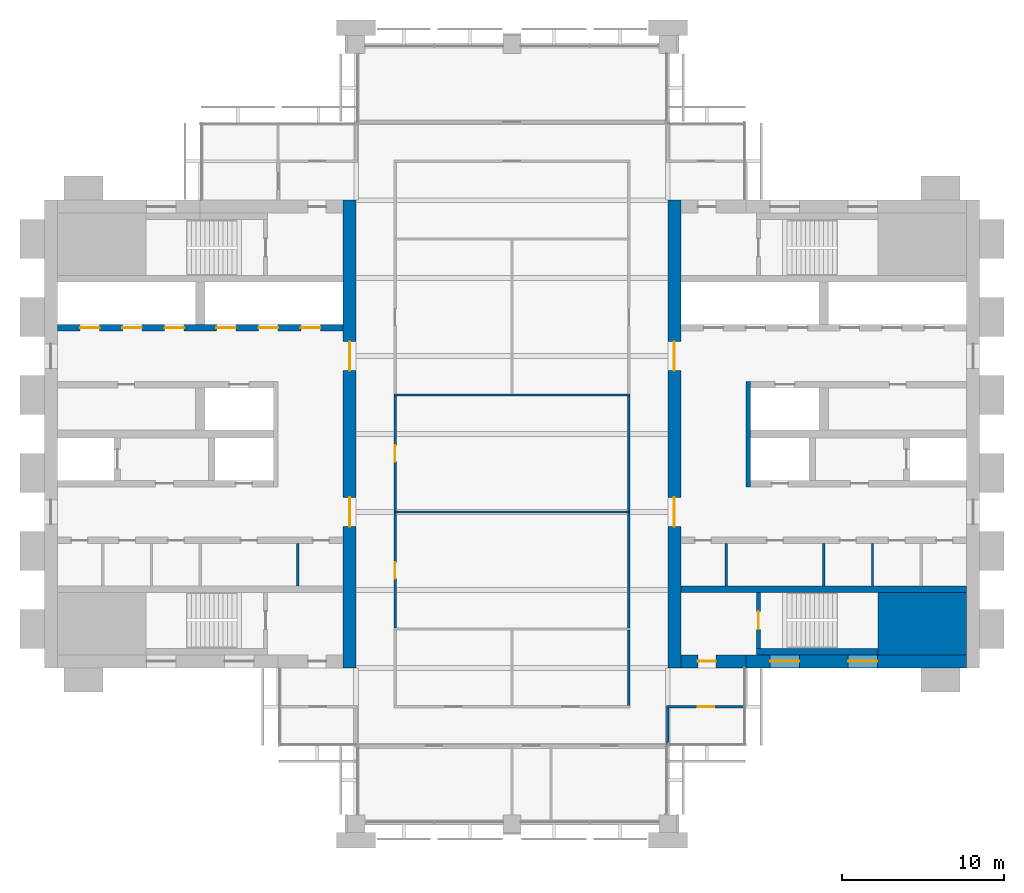
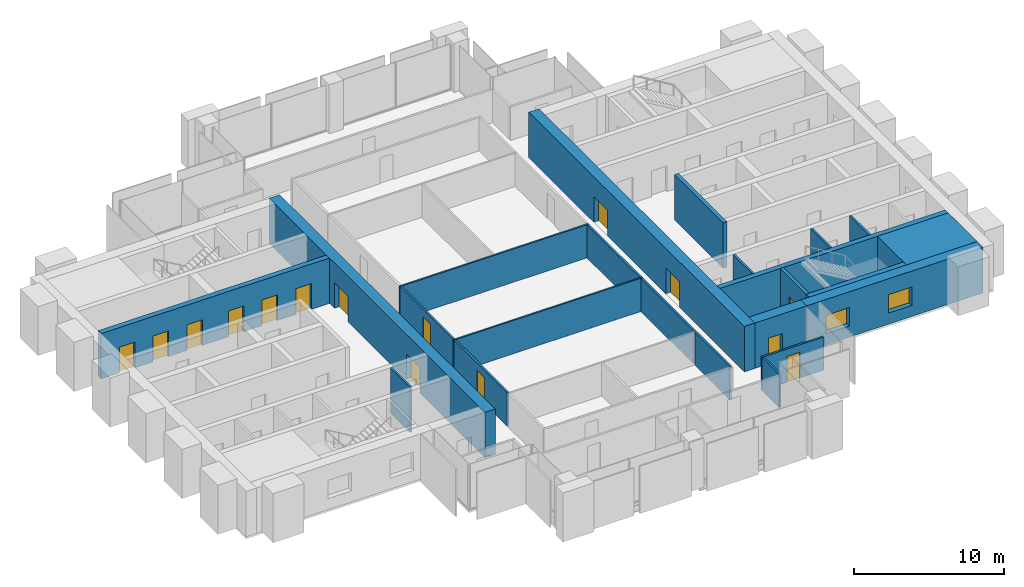
# One storey, part 9 of 13: 23 walls, 15 doors, 2 windows, 17 openings.
"""IFC4 building model written with IfcOpenShell, lengths in metres."""

from ifc_helpers import new_model, si_unit, direction, frame, frame_2d, origin, place, context, subcontext, project, spatial, rectangle, extrude, material, layer, layer_set, type_object, element, fill, save


model = new_model("IFC4")

# Units and contexts
model_context = context("Model", 3, precision=1e-05, world=origin(), true_north=direction((0.0, 1.0)))
body_context = subcontext(model_context, "Body", "Model", "MODEL_VIEW")
ifc_project = project(units=[si_unit("LENGTHUNIT", "METRE"), si_unit("AREAUNIT", "SQUARE_METRE"), si_unit("VOLUMEUNIT", "CUBIC_METRE"), si_unit("PLANEANGLEUNIT", "RADIAN"), si_unit("MASSUNIT", "GRAM", prefix="KILO")], contexts=[model_context])

# Site, building, storey
site_placement = place(None, origin())
site = spatial("IfcSite", under=ifc_project, at=site_placement, CompositionType="ELEMENT")
building_placement = place(site_placement, origin())
building = spatial("IfcBuilding", under=site, at=building_placement, Name="Baori Bourse Tower", CompositionType="ELEMENT")
storey_placement = place(building_placement, frame((0.0, 0.0, 261.199951171875)))
storey = spatial("IfcBuildingStorey", under=building, at=storey_placement, Name="L58", CompositionType="ELEMENT", Elevation=261.199951171875)

# Walls
ifc_material_1 = material(Name="Concrete f'c 50 MPa", Category="concrete")
wall_type_1 = type_object("IfcWallType", Name="Core corner block f'c 50", PredefinedType="SHEAR", material=ifc_material_1)
wall_1_placement = place(storey_placement, frame((51.35009765625, 12.324951171875, 0.0), z_axis=(0.0, 0.0, 1.0), x_axis=(1.0, 0.0, 0.0)))
element("IfcWall", 1, at=wall_1_placement, inside=storey, type_object=wall_type_1, Name="Core wall E05", PredefinedType="SHEAR", context=body_context, shape_type="SweptSolid", body=[
    extrude(rectangle(XDim=5.449951171875, YDim=3.85009765625, at=frame_2d((2.72509765625, 0.0))), origin(), (0.0, 0.0, 1.0), 3.699951171875),
])
ifc_material_2 = material(Name="Blockwork partition", Category="masonry")
ifc_layer_1 = layer(ifc_material_2, 0.14990234375)
ifc_layer_set_1 = layer_set([ifc_layer_1], Name="Core partition 150")
wall_type_2 = type_object("IfcWallType", Name="Core partition 150", PredefinedType="PARTITIONING", material=ifc_layer_set_1)
for number, where, z_axis, x_axis, name in (
    (2, (15.60009765625, 14.64990234375, 0.0), (0.0, 0.0, 1.0), (0.0, 1.0, 0.0), "Partition wall W12"),
    (3, (51.0, 14.64990234375, 0.0), (0.0, 0.0, 1.0), (0.0, 1.0, 0.0), "Partition wall E10"),
    (4, (48.0, 14.64990234375, 0.0), (0.0, 0.0, 1.0), (0.0, 1.0, 0.0), "Partition wall E11"),
    (5, (42.0, 14.64990234375, 0.0), (0.0, 0.0, 1.0), (0.0, 1.0, 0.0), "Partition wall E12"),
):
    element("IfcWall", number, at=place(storey_placement, frame(where, z_axis=z_axis, x_axis=x_axis)), inside=storey, type_object=wall_type_2, Name=name, PredefinedType="PARTITIONING", context=body_context, shape_type="SweptSolid", body=[
        extrude(rectangle(XDim=2.60009765625, YDim=0.14990234375, at=frame_2d((1.300048828125, 0.0))), origin(), (0.0, 0.0, 1.0), 3.699951171875),
    ])

# Wall, openings, doors
ifc_material_3 = material(Name="Concrete f'c 50 MPa", Category="concrete")
ifc_layer_2 = layer(ifc_material_3, 0.800048828125)
ifc_layer_set_2 = layer_set([ifc_layer_2], Name="Core wall 800 f'c 50")
wall_type_3 = type_object("IfcWallType", Name="Core wall 800 f'c 50", PredefinedType="SHEAR", material=ifc_layer_set_2)
wall_2_placement = place(storey_placement, frame((18.800048828125, 38.39990234375, 0.0), z_axis=(0.0, 0.0, 1.0), x_axis=(0.0, -1.0, 0.0)))
wall_2 = element("IfcWall", 6, at=wall_2_placement, inside=storey, type_object=wall_type_3, Name="Core wall W04", PredefinedType="SHEAR", context=body_context, shape_type="SweptSolid", body=[
    extrude(rectangle(XDim=28.7998046875, YDim=0.800048828125, at=frame_2d((14.39990234375, 0.0))), origin(), (0.0, 0.0, 1.0), 3.699951171875),
])
opening_1_placement = place(wall_2_placement, frame((18.300048828125, 0.0, 0.0)))
opening_1 = element("IfcOpeningElement", 7, at=opening_1_placement, cuts=wall_2, Name="Opening L58-D107", PredefinedType="OPENING", context=body_context, shape_type="SweptSolid", body=[
    extrude(rectangle(XDim=1.800048828125, YDim=2.10009765625, at=frame_2d((0.89990234375, 1.050048828125))), frame((0.0, 0.409912109375, 0.0), z_axis=(0.0, -1.0, 0.0), x_axis=(1.0, 0.0, 0.0)), (0.0, 0.0, 1.0), 0.820068359375),
])
opening_2_placement = place(wall_2_placement, frame((8.699951171875, 0.0, 0.0)))
opening_2 = element("IfcOpeningElement", 8, at=opening_2_placement, cuts=wall_2, Name="Opening L58-D108", PredefinedType="OPENING", context=body_context, shape_type="SweptSolid", body=[
    extrude(rectangle(XDim=1.800048828125, YDim=2.10009765625, at=frame_2d((0.89990234375, 1.050048828125))), frame((0.0, 0.409912109375, 0.0), z_axis=(0.0, -1.0, 0.0), x_axis=(1.0, 0.0, 0.0)), (0.0, 0.0, 1.0), 0.820068359375),
])
ifc_material_4 = material(Name="Painted steel door", Category="steel")
door_type_1 = type_object("IfcDoorType", Name="Core lobby door 1800", OperationType="DOUBLE_DOOR_SINGLE_SWING", PredefinedType="DOOR", material=ifc_material_4)
door_1_placement = place(opening_1_placement, origin())
door_1 = element("IfcDoor", 9, at=door_1_placement, inside=storey, type_object=door_type_1, Name="Lobby door W L58", OperationType="DOUBLE_DOOR_SINGLE_SWING", OverallHeight=2.10009765625, OverallWidth=1.800048828125, PredefinedType="DOOR", context=body_context, shape_type="SweptSolid", body=[
    extrude(rectangle(XDim=1.800048828125, YDim=2.10009765625, at=frame_2d((0.89990234375, 1.050048828125))), frame((0.0, 0.02490234375, 0.0), z_axis=(0.0, -1.0, 0.0), x_axis=(1.0, 0.0, 0.0)), (0.0, 0.0, 1.0), 0.050048828125),
])
fill(opening_1, door_1)
door_2_placement = place(opening_2_placement, origin())
door_2 = element("IfcDoor", 10, at=door_2_placement, inside=storey, type_object=door_type_1, Name="Lobby door W L58", OperationType="DOUBLE_DOOR_SINGLE_SWING", OverallHeight=2.10009765625, OverallWidth=1.800048828125, PredefinedType="DOOR", context=body_context, shape_type="SweptSolid", body=[
    extrude(rectangle(XDim=1.800048828125, YDim=2.10009765625, at=frame_2d((0.89990234375, 1.050048828125))), frame((0.0, 0.02490234375, 0.0), z_axis=(0.0, -1.0, 0.0), x_axis=(1.0, 0.0, 0.0)), (0.0, 0.0, 1.0), 0.050048828125),
])
fill(opening_2, door_2)

# Wall, openings, windows
wall_3_placement = place(storey_placement, frame((56.800048828125, 10.0, 0.0), z_axis=(0.0, 0.0, 1.0), x_axis=(-1.0, 0.0, 0.0)))
wall_3 = element("IfcWall", 11, at=wall_3_placement, inside=storey, type_object=wall_type_3, Name="Core wall E02", PredefinedType="SHEAR", context=body_context, shape_type="SweptSolid", body=[
    extrude(rectangle(XDim=13.60009765625, YDim=0.800048828125, at=frame_2d((6.800048828125, 0.0))), origin(), (0.0, 0.0, 1.0), 3.699951171875),
])
opening_3_placement = place(wall_3_placement, frame((5.5, 0.0, 0.89990234375)))
opening_3 = element("IfcOpeningElement", 12, at=opening_3_placement, cuts=wall_3, Name="Opening L58-KW203", PredefinedType="OPENING", context=body_context, shape_type="SweptSolid", body=[
    extrude(rectangle(XDim=1.800048828125, YDim=1.5, at=frame_2d((0.89990234375, 0.75))), frame((0.0, 0.409912109375, 0.0), z_axis=(0.0, -1.0, 0.0), x_axis=(1.0, 0.0, 0.0)), (0.0, 0.0, 1.0), 0.820068359375),
])
opening_4_placement = place(wall_3_placement, frame((10.300048828125, 0.0, 0.89990234375)))
opening_4 = element("IfcOpeningElement", 13, at=opening_4_placement, cuts=wall_3, Name="Opening L58-KW204", PredefinedType="OPENING", context=body_context, shape_type="SweptSolid", body=[
    extrude(rectangle(XDim=1.800048828125, YDim=1.5, at=frame_2d((0.89990234375, 0.75))), frame((0.0, 0.409912109375, 0.0), z_axis=(0.0, -1.0, 0.0), x_axis=(1.0, 0.0, 0.0)), (0.0, 0.0, 1.0), 0.820068359375),
])
ifc_material_5 = material(Name="Pale anodised aluminium", Category="aluminium")
window_type = type_object("IfcWindowType", Name="Stair window 1800 x 1500", PartitioningType="SINGLE_PANEL", PredefinedType="WINDOW", material=ifc_material_5)
window_1_placement = place(opening_3_placement, origin())
window_1 = element("IfcWindow", 14, at=window_1_placement, inside=storey, type_object=window_type, Name="Stair window E L58 3", OverallHeight=1.5, OverallWidth=1.800048828125, PartitioningType="SINGLE_PANEL", PredefinedType="WINDOW", context=body_context, shape_type="SweptSolid", body=[
    extrude(rectangle(XDim=1.800048828125, YDim=1.5, at=frame_2d((0.89990234375, 0.75))), frame((0.0, 0.030029296875, 0.0), z_axis=(0.0, -1.0, 0.0), x_axis=(1.0, 0.0, 0.0)), (0.0, 0.0, 1.0), 0.06005859375),
])
fill(opening_3, window_1)
window_2_placement = place(opening_4_placement, origin())
window_2 = element("IfcWindow", 15, at=window_2_placement, inside=storey, type_object=window_type, Name="Stair window E L58 4", OverallHeight=1.5, OverallWidth=1.800048828125, PartitioningType="SINGLE_PANEL", PredefinedType="WINDOW", context=body_context, shape_type="SweptSolid", body=[
    extrude(rectangle(XDim=1.800048828125, YDim=1.5, at=frame_2d((0.89990234375, 0.75))), frame((0.0, 0.030029296875, 0.0), z_axis=(0.0, -1.0, 0.0), x_axis=(1.0, 0.0, 0.0)), (0.0, 0.0, 1.0), 0.06005859375),
])
fill(opening_4, window_2)

# Wall, opening, door
wall_4_placement = place(storey_placement, frame((43.199951171875, 10.0, 0.0), z_axis=(0.0, 0.0, 1.0), x_axis=(-1.0, 0.0, 0.0)))
wall_4 = element("IfcWall", 16, at=wall_4_placement, inside=storey, type_object=wall_type_3, Name="Core wall E03", PredefinedType="SHEAR", context=body_context, shape_type="SweptSolid", body=[
    extrude(rectangle(XDim=4.0, YDim=0.800048828125, at=frame_2d((2.0, 0.0))), origin(), (0.0, 0.0, 1.0), 3.699951171875),
])
opening_5_placement = place(wall_4_placement, frame((1.85009765625, 0.0, 0.0)))
opening_5 = element("IfcOpeningElement", 17, at=opening_5_placement, cuts=wall_4, Name="Opening L58-D202", PredefinedType="OPENING", context=body_context, shape_type="SweptSolid", body=[
    extrude(rectangle(XDim=1.10009765625, YDim=2.10009765625, at=frame_2d((0.550048828125, 1.050048828125))), frame((0.0, 0.409912109375, 0.0), z_axis=(0.0, -1.0, 0.0), x_axis=(1.0, 0.0, 0.0)), (0.0, 0.0, 1.0), 0.820068359375),
])
ifc_material_6 = material(Name="Painted steel door", Category="steel")
door_type_2 = type_object("IfcDoorType", Name="Stair door 1100", OperationType="SINGLE_SWING_LEFT", PredefinedType="DOOR", material=ifc_material_6)
door_3_placement = place(opening_5_placement, origin())
door_3 = element("IfcDoor", 18, at=door_3_placement, inside=storey, type_object=door_type_2, Name="Stair vestibule door A E L58", OperationType="SINGLE_SWING_LEFT", OverallHeight=2.10009765625, OverallWidth=1.10009765625, PredefinedType="DOOR", context=body_context, shape_type="SweptSolid", body=[
    extrude(rectangle(XDim=1.10009765625, YDim=2.10009765625, at=frame_2d((0.550048828125, 1.050048828125))), frame((0.0, 0.02490234375, 0.0), z_axis=(0.0, -1.0, 0.0), x_axis=(1.0, 0.0, 0.0)), (0.0, 0.0, 1.0), 0.050048828125),
])
fill(opening_5, door_3)

# Wall, openings, doors
wall_5_placement = place(storey_placement, frame((38.800048828125, 9.60009765625, 0.0), z_axis=(0.0, 0.0, 1.0), x_axis=(0.0, 1.0, 0.0)))
wall_5 = element("IfcWall", 19, at=wall_5_placement, inside=storey, type_object=wall_type_3, Name="Core wall E04", PredefinedType="SHEAR", context=body_context, shape_type="SweptSolid", body=[
    extrude(rectangle(XDim=28.7998046875, YDim=0.800048828125, at=frame_2d((14.39990234375, 0.0))), origin(), (0.0, 0.0, 1.0), 3.699951171875),
])
opening_6_placement = place(wall_5_placement, frame((8.699951171875, 0.0, 0.0)))
opening_6 = element("IfcOpeningElement", 20, at=opening_6_placement, cuts=wall_5, Name="Opening L58-D207", PredefinedType="OPENING", context=body_context, shape_type="SweptSolid", body=[
    extrude(rectangle(XDim=1.800048828125, YDim=2.10009765625, at=frame_2d((0.89990234375, 1.050048828125))), frame((0.0, 0.409912109375, 0.0), z_axis=(0.0, -1.0, 0.0), x_axis=(1.0, 0.0, 0.0)), (0.0, 0.0, 1.0), 0.820068359375),
])
opening_7_placement = place(wall_5_placement, frame((18.300048828125, 0.0, 0.0)))
opening_7 = element("IfcOpeningElement", 21, at=opening_7_placement, cuts=wall_5, Name="Opening L58-D208", PredefinedType="OPENING", context=body_context, shape_type="SweptSolid", body=[
    extrude(rectangle(XDim=1.800048828125, YDim=2.10009765625, at=frame_2d((0.89990234375, 1.050048828125))), frame((0.0, 0.409912109375, 0.0), z_axis=(0.0, -1.0, 0.0), x_axis=(1.0, 0.0, 0.0)), (0.0, 0.0, 1.0), 0.820068359375),
])
door_4_placement = place(opening_6_placement, origin())
door_4 = element("IfcDoor", 22, at=door_4_placement, inside=storey, type_object=door_type_1, Name="Lobby door E L58", OperationType="DOUBLE_DOOR_SINGLE_SWING", OverallHeight=2.10009765625, OverallWidth=1.800048828125, PredefinedType="DOOR", context=body_context, shape_type="SweptSolid", body=[
    extrude(rectangle(XDim=1.800048828125, YDim=2.10009765625, at=frame_2d((0.89990234375, 1.050048828125))), frame((0.0, 0.02490234375, 0.0), z_axis=(0.0, -1.0, 0.0), x_axis=(1.0, 0.0, 0.0)), (0.0, 0.0, 1.0), 0.050048828125),
])
fill(opening_6, door_4)
door_5_placement = place(opening_7_placement, origin())
door_5 = element("IfcDoor", 23, at=door_5_placement, inside=storey, type_object=door_type_1, Name="Lobby door E L58", OperationType="DOUBLE_DOOR_SINGLE_SWING", OverallHeight=2.10009765625, OverallWidth=1.800048828125, PredefinedType="DOOR", context=body_context, shape_type="SweptSolid", body=[
    extrude(rectangle(XDim=1.800048828125, YDim=2.10009765625, at=frame_2d((0.89990234375, 1.050048828125))), frame((0.0, 0.02490234375, 0.0), z_axis=(0.0, -1.0, 0.0), x_axis=(1.0, 0.0, 0.0)), (0.0, 0.0, 1.0), 0.050048828125),
])
fill(opening_7, door_5)

# Wall, opening, door
ifc_material_7 = material(Name="Gypsum board partition")
ifc_layer_3 = layer(ifc_material_7, 0.14990234375)
ifc_layer_set_3 = layer_set([ifc_layer_3], Name="Corridor partition 150")
wall_type_4 = type_object("IfcWallType", Name="Corridor partition 150", PredefinedType="PARTITIONING", material=ifc_layer_set_3)
wall_6_placement = place(storey_placement, frame((38.324951171875, 7.199951171875, 0.0), z_axis=(0.0, 0.0, 1.0), x_axis=(1.0, 0.0, 0.0)))
wall_6 = element("IfcWall", 24, at=wall_6_placement, inside=storey, type_object=wall_type_4, Name="Partition", PredefinedType="PARTITIONING", context=body_context, shape_type="SweptSolid", body=[
    extrude(rectangle(XDim=4.775146484375, YDim=0.14990234375, at=frame_2d((2.3876953125, 0.0))), origin(), (0.0, 0.0, 1.0), 2.70947265625),
])
opening_8_placement = place(wall_6_placement, frame((1.925048828125, 0.0, 0.0)))
opening_8 = element("IfcOpeningElement", 25, at=opening_8_placement, cuts=wall_6, Name="Opening L58-D07", PredefinedType="OPENING", context=body_context, shape_type="SweptSolid", body=[
    extrude(rectangle(XDim=1.0, YDim=2.10009765625, at=frame_2d((0.5, 1.050048828125))), frame((0.0, 0.0849609375, 0.0), z_axis=(0.0, -1.0, 0.0), x_axis=(1.0, 0.0, 0.0)), (0.0, 0.0, 1.0), 0.169921875),
])
ifc_material_8 = material(Name="Timber door leaf", Category="wood")
door_type_3 = type_object("IfcDoorType", Name="Door 1000 x 2100", OperationType="SINGLE_SWING_LEFT", PredefinedType="DOOR", material=ifc_material_8)
door_6_placement = place(opening_8_placement, origin())
door_6 = element("IfcDoor", 26, at=door_6_placement, inside=storey, type_object=door_type_3, Name="Door", OperationType="SINGLE_SWING_RIGHT", OverallHeight=2.10009765625, OverallWidth=1.0, PredefinedType="DOOR", context=body_context, shape_type="SweptSolid", body=[
    extrude(rectangle(XDim=1.0, YDim=2.10009765625, at=frame_2d((0.5, 1.050048828125))), frame((0.0, 0.02490234375, 0.0), z_axis=(0.0, -1.0, 0.0), x_axis=(1.0, 0.0, 0.0)), (0.0, 0.0, 1.0), 0.050048828125),
])
fill(opening_8, door_6)

wall_7_placement = place(storey_placement, frame((21.60009765625, 12.0625, 0.0), z_axis=(0.0, 0.0, 1.0), x_axis=(0.0, 1.0, 0.0)))
wall_7 = element("IfcWall", 27, at=wall_7_placement, inside=storey, type_object=wall_type_4, Name="Partition", PredefinedType="PARTITIONING", context=body_context, shape_type="SweptSolid", body=[
    extrude(rectangle(XDim=7.074951171875, YDim=0.14990234375, at=frame_2d((3.53759765625, 0.0))), origin(), (0.0, 0.0, 1.0), 2.70947265625),
])
opening_9_placement = place(wall_7_placement, frame((3.03759765625, 0.0, 0.0)))
opening_9 = element("IfcOpeningElement", 28, at=opening_9_placement, cuts=wall_7, Name="Opening L58-D13", PredefinedType="OPENING", context=body_context, shape_type="SweptSolid", body=[
    extrude(rectangle(XDim=1.0, YDim=2.10009765625, at=frame_2d((0.5, 1.050048828125))), frame((0.0, 0.0849609375, 0.0), z_axis=(0.0, -1.0, 0.0), x_axis=(1.0, 0.0, 0.0)), (0.0, 0.0, 1.0), 0.169921875),
])
door_7_placement = place(opening_9_placement, origin())
door_7 = element("IfcDoor", 29, at=door_7_placement, inside=storey, type_object=door_type_3, Name="Door", OperationType="SINGLE_SWING_LEFT", OverallHeight=2.10009765625, OverallWidth=1.0, PredefinedType="DOOR", context=body_context, shape_type="SweptSolid", body=[
    extrude(rectangle(XDim=1.0, YDim=2.10009765625, at=frame_2d((0.5, 1.050048828125))), frame((0.0, 0.02490234375, 0.0), z_axis=(0.0, -1.0, 0.0), x_axis=(1.0, 0.0, 0.0)), (0.0, 0.0, 1.0), 0.050048828125),
])
fill(opening_9, door_7)

wall_8_placement = place(storey_placement, frame((21.60009765625, 19.262451171875, 0.0), z_axis=(0.0, 0.0, 1.0), x_axis=(0.0, 1.0, 0.0)))
wall_8 = element("IfcWall", 30, at=wall_8_placement, inside=storey, type_object=wall_type_4, Name="Partition", PredefinedType="PARTITIONING", context=body_context, shape_type="SweptSolid", body=[
    extrude(rectangle(XDim=7.074951171875, YDim=0.14990234375, at=frame_2d((3.53759765625, 0.0))), origin(), (0.0, 0.0, 1.0), 2.70947265625),
])
opening_10_placement = place(wall_8_placement, frame((3.03759765625, 0.0, 0.0)))
opening_10 = element("IfcOpeningElement", 31, at=opening_10_placement, cuts=wall_8, Name="Opening L58-D14", PredefinedType="OPENING", context=body_context, shape_type="SweptSolid", body=[
    extrude(rectangle(XDim=1.0, YDim=2.10009765625, at=frame_2d((0.5, 1.050048828125))), frame((0.0, 0.0849609375, 0.0), z_axis=(0.0, -1.0, 0.0), x_axis=(1.0, 0.0, 0.0)), (0.0, 0.0, 1.0), 0.169921875),
])
door_8_placement = place(opening_10_placement, origin())
door_8 = element("IfcDoor", 32, at=door_8_placement, inside=storey, type_object=door_type_3, Name="Door", OperationType="SINGLE_SWING_RIGHT", OverallHeight=2.10009765625, OverallWidth=1.0, PredefinedType="DOOR", context=body_context, shape_type="SweptSolid", body=[
    extrude(rectangle(XDim=1.0, YDim=2.10009765625, at=frame_2d((0.5, 1.050048828125))), frame((0.0, 0.02490234375, 0.0), z_axis=(0.0, -1.0, 0.0), x_axis=(1.0, 0.0, 0.0)), (0.0, 0.0, 1.0), 0.050048828125),
])
fill(opening_10, door_8)

# Walls
wall_9_placement = place(storey_placement, frame((36.0, 7.27490234375, 0.0), z_axis=(0.0, 0.0, 1.0), x_axis=(0.0, 1.0, 0.0)))
element("IfcWall", 33, at=wall_9_placement, inside=storey, type_object=wall_type_4, Name="Partition", PredefinedType="PARTITIONING", context=body_context, shape_type="SweptSolid", body=[
    extrude(rectangle(XDim=4.66259765625, YDim=0.14990234375, at=frame_2d((2.331298828125, 0.0))), origin(), (0.0, 0.0, 1.0), 2.70947265625),
])
for number, where, z_axis, x_axis, name in (
    (34, (36.0, 12.0625, 0.0), (0.0, 0.0, 1.0), (0.0, 1.0, 0.0), "Partition"),
    (35, (36.0, 19.262451171875, 0.0), (0.0, 0.0, 1.0), (0.0, 1.0, 0.0), "Partition"),
):
    element("IfcWall", number, at=place(storey_placement, frame(where, z_axis=z_axis, x_axis=x_axis)), inside=storey, type_object=wall_type_4, Name=name, PredefinedType="PARTITIONING", context=body_context, shape_type="SweptSolid", body=[
        extrude(rectangle(XDim=7.074951171875, YDim=0.14990234375, at=frame_2d((3.53759765625, 0.0))), origin(), (0.0, 0.0, 1.0), 2.70947265625),
    ])
wall_10_placement = place(storey_placement, frame((38.39990234375, 4.875, 0.0), z_axis=(0.0, 0.0, 1.0), x_axis=(0.0, 1.0, 0.0)))
element("IfcWall", 36, at=wall_10_placement, inside=storey, type_object=wall_type_4, Name="Partition", PredefinedType="PARTITIONING", context=body_context, shape_type="SweptSolid", body=[
    extrude(rectangle(XDim=2.25, YDim=0.14990234375, at=frame_2d((1.125, 0.0))), origin(), (0.0, 0.0, 1.0), 2.70947265625),
])
ifc_material_9 = material(Name="Gypsum board partition")
ifc_layer_4 = layer(ifc_material_9, 0.125)
ifc_layer_set_4 = layer_set([ifc_layer_4], Name="Partition 125")
wall_type_5 = type_object("IfcWallType", Name="Partition 125", PredefinedType="PARTITIONING", material=ifc_layer_set_4)
for number, where, z_axis, x_axis, name in (
    (37, (21.52490234375, 19.199951171875, 0.0), (0.0, 0.0, 1.0), (1.0, 0.0, 0.0), "Partition"),
    (38, (21.52490234375, 26.39990234375, 0.0), (0.0, 0.0, 1.0), (1.0, 0.0, 0.0), "Partition"),
):
    element("IfcWall", number, at=place(storey_placement, frame(where, z_axis=z_axis, x_axis=x_axis)), inside=storey, type_object=wall_type_5, Name=name, PredefinedType="PARTITIONING", context=body_context, shape_type="SweptSolid", body=[
        extrude(rectangle(XDim=14.550048828125, YDim=0.125, at=frame_2d((7.27490234375, 0.0))), origin(), (0.0, 0.0, 1.0), 2.70947265625),
    ])

# Wall, opening, door
ifc_material_10 = material(Name="Concrete f'c 50 MPa", Category="concrete")
ifc_layer_5 = layer(ifc_material_10, 0.25)
ifc_layer_set_5 = layer_set([ifc_layer_5], Name="Shaft wall 250 f'c 50")
wall_type_6 = type_object("IfcWallType", Name="Shaft wall 250 f'c 50", PredefinedType="SHEAR", material=ifc_layer_set_5)
wall_11_placement = place(storey_placement, frame((43.97509765625, 10.800048828125, 0.0), z_axis=(0.0, 0.0, 1.0), x_axis=(0.0, 1.0, 0.0)))
wall_11 = element("IfcWall", 39, at=wall_11_placement, inside=storey, type_object=wall_type_6, Name="Core wall E07", PredefinedType="SHEAR", context=body_context, shape_type="SweptSolid", body=[
    extrude(rectangle(XDim=3.449951171875, YDim=0.25, at=frame_2d((1.72509765625, 0.0))), origin(), (0.0, 0.0, 1.0), 3.699951171875),
])
opening_11_placement = place(wall_11_placement, frame((1.175048828125, 0.0, 0.0)))
opening_11 = element("IfcOpeningElement", 40, at=opening_11_placement, cuts=wall_11, Name="Opening L58-D201", PredefinedType="OPENING", context=body_context, shape_type="SweptSolid", body=[
    extrude(rectangle(XDim=1.10009765625, YDim=2.10009765625, at=frame_2d((0.550048828125, 1.050048828125))), frame((0.0, 0.135009765625, 0.0), z_axis=(0.0, -1.0, 0.0), x_axis=(1.0, 0.0, 0.0)), (0.0, 0.0, 1.0), 0.27001953125),
])
door_9_placement = place(opening_11_placement, origin())
door_9 = element("IfcDoor", 41, at=door_9_placement, inside=storey, type_object=door_type_2, Name="Stair door A E L58", OperationType="SINGLE_SWING_LEFT", OverallHeight=2.10009765625, OverallWidth=1.10009765625, PredefinedType="DOOR", context=body_context, shape_type="SweptSolid", body=[
    extrude(rectangle(XDim=1.10009765625, YDim=2.10009765625, at=frame_2d((0.550048828125, 1.050048828125))), frame((0.0, 0.02490234375, 0.0), z_axis=(0.0, -1.0, 0.0), x_axis=(1.0, 0.0, 0.0)), (0.0, 0.0, 1.0), 0.050048828125),
])
fill(opening_11, door_9)

# Wall
ifc_material_11 = material(Name="Concrete f'c 50 MPa", Category="concrete")
ifc_layer_6 = layer(ifc_material_11, 0.300048828125)
ifc_layer_set_6 = layer_set([ifc_layer_6], Name="Shaft wall 300 f'c 50")
wall_type_7 = type_object("IfcWallType", Name="Shaft wall 300 f'c 50", PredefinedType="SHEAR", material=ifc_layer_set_6)
wall_12_placement = place(storey_placement, frame((43.35009765625, 20.75, 0.0), z_axis=(0.0, 0.0, 1.0), x_axis=(0.0, 1.0, 0.0)))
element("IfcWall", 42, at=wall_12_placement, inside=storey, type_object=wall_type_7, Name="Core wall E15", PredefinedType="SHEAR", context=body_context, shape_type="SweptSolid", body=[
    extrude(rectangle(XDim=6.5, YDim=0.300048828125, at=frame_2d((3.25, 0.0))), origin(), (0.0, 0.0, 1.0), 3.699951171875),
])

# Wall, openings, doors
ifc_material_12 = material(Name="Concrete f'c 50 MPa", Category="concrete")
ifc_layer_7 = layer(ifc_material_12, 0.39990234375)
ifc_layer_set_7 = layer_set([ifc_layer_7], Name="Shaft wall 400 f'c 50")
wall_type_8 = type_object("IfcWallType", Name="Shaft wall 400 f'c 50", PredefinedType="SHEAR", material=ifc_layer_set_7)
wall_13_placement = place(storey_placement, frame((0.800048828125, 30.550048828125, 0.0), z_axis=(0.0, 0.0, 1.0), x_axis=(1.0, 0.0, 0.0)))
wall_13 = element("IfcWall", 43, at=wall_13_placement, inside=storey, type_object=wall_type_8, Name="Core wall W21", PredefinedType="SHEAR", context=body_context, shape_type="SweptSolid", body=[
    extrude(rectangle(XDim=17.599853515625, YDim=0.39990234375, at=frame_2d((8.7998046875, 0.0))), origin(), (0.0, 0.0, 1.0), 3.699951171875),
])
opening_12_placement = place(wall_13_placement, frame((1.39990234375, 0.0, 0.0)))
opening_12 = element("IfcOpeningElement", 44, at=opening_12_placement, cuts=wall_13, Name="Opening L58-D115", PredefinedType="OPENING", context=body_context, shape_type="SweptSolid", body=[
    extrude(rectangle(XDim=1.199951171875, YDim=2.10009765625, at=frame_2d((0.60009765625, 1.050048828125))), frame((0.0, 0.2099609375, 0.0), z_axis=(0.0, -1.0, 0.0), x_axis=(1.0, 0.0, 0.0)), (0.0, 0.0, 1.0), 0.419921875),
])
opening_13_placement = place(wall_13_placement, frame((4.0, 0.0, 0.0)))
opening_13 = element("IfcOpeningElement", 45, at=opening_13_placement, cuts=wall_13, Name="Opening L58-D116", PredefinedType="OPENING", context=body_context, shape_type="SweptSolid", body=[
    extrude(rectangle(XDim=1.199951171875, YDim=2.10009765625, at=frame_2d((0.60009765625, 1.050048828125))), frame((0.0, 0.2099609375, 0.0), z_axis=(0.0, -1.0, 0.0), x_axis=(1.0, 0.0, 0.0)), (0.0, 0.0, 1.0), 0.419921875),
])
opening_14_placement = place(wall_13_placement, frame((6.60009765625, 0.0, 0.0)))
opening_14 = element("IfcOpeningElement", 46, at=opening_14_placement, cuts=wall_13, Name="Opening L58-D117", PredefinedType="OPENING", context=body_context, shape_type="SweptSolid", body=[
    extrude(rectangle(XDim=1.199951171875, YDim=2.10009765625, at=frame_2d((0.60009765625, 1.050048828125))), frame((0.0, 0.2099609375, 0.0), z_axis=(0.0, -1.0, 0.0), x_axis=(1.0, 0.0, 0.0)), (0.0, 0.0, 1.0), 0.419921875),
])
opening_15_placement = place(wall_13_placement, frame((9.800048828125, 0.0, 0.0)))
opening_15 = element("IfcOpeningElement", 47, at=opening_15_placement, cuts=wall_13, Name="Opening L58-D118", PredefinedType="OPENING", context=body_context, shape_type="SweptSolid", body=[
    extrude(rectangle(XDim=1.199951171875, YDim=2.10009765625, at=frame_2d((0.60009765625, 1.050048828125))), frame((0.0, 0.2099609375, 0.0), z_axis=(0.0, -1.0, 0.0), x_axis=(1.0, 0.0, 0.0)), (0.0, 0.0, 1.0), 0.419921875),
])
opening_16_placement = place(wall_13_placement, frame((12.39990234375, 0.0, 0.0)))
opening_16 = element("IfcOpeningElement", 48, at=opening_16_placement, cuts=wall_13, Name="Opening L58-D119", PredefinedType="OPENING", context=body_context, shape_type="SweptSolid", body=[
    extrude(rectangle(XDim=1.199951171875, YDim=2.10009765625, at=frame_2d((0.60009765625, 1.050048828125))), frame((0.0, 0.2099609375, 0.0), z_axis=(0.0, -1.0, 0.0), x_axis=(1.0, 0.0, 0.0)), (0.0, 0.0, 1.0), 0.419921875),
])
opening_17_placement = place(wall_13_placement, frame((15.0, 0.0, 0.0)))
opening_17 = element("IfcOpeningElement", 49, at=opening_17_placement, cuts=wall_13, Name="Opening L58-D120", PredefinedType="OPENING", context=body_context, shape_type="SweptSolid", body=[
    extrude(rectangle(XDim=1.199951171875, YDim=2.10009765625, at=frame_2d((0.60009765625, 1.050048828125))), frame((0.0, 0.2099609375, 0.0), z_axis=(0.0, -1.0, 0.0), x_axis=(1.0, 0.0, 0.0)), (0.0, 0.0, 1.0), 0.419921875),
])
ifc_material_13 = material(Name="Stainless steel door", Category="steel")
door_type_4 = type_object("IfcDoorType", Name="Lift landing door", OperationType="DOUBLE_DOOR_SLIDING", PredefinedType="DOOR", material=ifc_material_13)
door_10_placement = place(opening_12_placement, origin())
door_10 = element("IfcDoor", 50, at=door_10_placement, inside=storey, type_object=door_type_4, Name="Lift landing door HR1 W L58", OperationType="DOUBLE_DOOR_SLIDING", OverallHeight=2.10009765625, OverallWidth=1.199951171875, PredefinedType="DOOR", context=body_context, shape_type="SweptSolid", body=[
    extrude(rectangle(XDim=1.199951171875, YDim=2.10009765625, at=frame_2d((0.60009765625, 1.050048828125))), frame((0.0, 0.02490234375, 0.0), z_axis=(0.0, -1.0, 0.0), x_axis=(1.0, 0.0, 0.0)), (0.0, 0.0, 1.0), 0.050048828125),
])
fill(opening_12, door_10)
door_11_placement = place(opening_13_placement, origin())
door_11 = element("IfcDoor", 51, at=door_11_placement, inside=storey, type_object=door_type_4, Name="Lift landing door HR2 W L58", OperationType="DOUBLE_DOOR_SLIDING", OverallHeight=2.10009765625, OverallWidth=1.199951171875, PredefinedType="DOOR", context=body_context, shape_type="SweptSolid", body=[
    extrude(rectangle(XDim=1.199951171875, YDim=2.10009765625, at=frame_2d((0.60009765625, 1.050048828125))), frame((0.0, 0.02490234375, 0.0), z_axis=(0.0, -1.0, 0.0), x_axis=(1.0, 0.0, 0.0)), (0.0, 0.0, 1.0), 0.050048828125),
])
fill(opening_13, door_11)
door_12_placement = place(opening_14_placement, origin())
door_12 = element("IfcDoor", 52, at=door_12_placement, inside=storey, type_object=door_type_4, Name="Lift landing door HR3 W L58", OperationType="DOUBLE_DOOR_SLIDING", OverallHeight=2.10009765625, OverallWidth=1.199951171875, PredefinedType="DOOR", context=body_context, shape_type="SweptSolid", body=[
    extrude(rectangle(XDim=1.199951171875, YDim=2.10009765625, at=frame_2d((0.60009765625, 1.050048828125))), frame((0.0, 0.02490234375, 0.0), z_axis=(0.0, -1.0, 0.0), x_axis=(1.0, 0.0, 0.0)), (0.0, 0.0, 1.0), 0.050048828125),
])
fill(opening_14, door_12)
door_13_placement = place(opening_15_placement, origin())
door_13 = element("IfcDoor", 53, at=door_13_placement, inside=storey, type_object=door_type_4, Name="Lift landing door HR4 W L58", OperationType="DOUBLE_DOOR_SLIDING", OverallHeight=2.10009765625, OverallWidth=1.199951171875, PredefinedType="DOOR", context=body_context, shape_type="SweptSolid", body=[
    extrude(rectangle(XDim=1.199951171875, YDim=2.10009765625, at=frame_2d((0.60009765625, 1.050048828125))), frame((0.0, 0.02490234375, 0.0), z_axis=(0.0, -1.0, 0.0), x_axis=(1.0, 0.0, 0.0)), (0.0, 0.0, 1.0), 0.050048828125),
])
fill(opening_15, door_13)
door_14_placement = place(opening_16_placement, origin())
door_14 = element("IfcDoor", 54, at=door_14_placement, inside=storey, type_object=door_type_4, Name="Lift landing door HR5 W L58", OperationType="DOUBLE_DOOR_SLIDING", OverallHeight=2.10009765625, OverallWidth=1.199951171875, PredefinedType="DOOR", context=body_context, shape_type="SweptSolid", body=[
    extrude(rectangle(XDim=1.199951171875, YDim=2.10009765625, at=frame_2d((0.60009765625, 1.050048828125))), frame((0.0, 0.02490234375, 0.0), z_axis=(0.0, -1.0, 0.0), x_axis=(1.0, 0.0, 0.0)), (0.0, 0.0, 1.0), 0.050048828125),
])
fill(opening_16, door_14)
door_15_placement = place(opening_17_placement, origin())
door_15 = element("IfcDoor", 55, at=door_15_placement, inside=storey, type_object=door_type_4, Name="Lift landing door HR6 W L58", OperationType="DOUBLE_DOOR_SLIDING", OverallHeight=2.10009765625, OverallWidth=1.199951171875, PredefinedType="DOOR", context=body_context, shape_type="SweptSolid", body=[
    extrude(rectangle(XDim=1.199951171875, YDim=2.10009765625, at=frame_2d((0.60009765625, 1.050048828125))), frame((0.0, 0.02490234375, 0.0), z_axis=(0.0, -1.0, 0.0), x_axis=(1.0, 0.0, 0.0)), (0.0, 0.0, 1.0), 0.050048828125),
])
fill(opening_17, door_15)

# Walls
wall_14_placement = place(storey_placement, frame((43.85009765625, 10.60009765625, 0.0), z_axis=(0.0, 0.0, 1.0), x_axis=(1.0, 0.0, 0.0)))
element("IfcWall", 56, at=wall_14_placement, inside=storey, type_object=wall_type_8, Name="Core wall E06", PredefinedType="SHEAR", context=body_context, shape_type="SweptSolid", body=[
    extrude(rectangle(XDim=7.5, YDim=0.39990234375, at=frame_2d((3.75, 0.0))), origin(), (0.0, 0.0, 1.0), 3.699951171875),
])
wall_15_placement = place(storey_placement, frame((39.199951171875, 14.449951171875, 0.0), z_axis=(0.0, 0.0, 1.0), x_axis=(1.0, 0.0, 0.0)))
element("IfcWall", 57, at=wall_15_placement, inside=storey, type_object=wall_type_8, Name="Core wall E08", PredefinedType="SHEAR", context=body_context, shape_type="SweptSolid", body=[
    extrude(rectangle(XDim=17.60009765625, YDim=0.39990234375, at=frame_2d((8.800048828125, 0.0))), origin(), (0.0, 0.0, 1.0), 3.699951171875),
])

save(model, "model.ifc")
